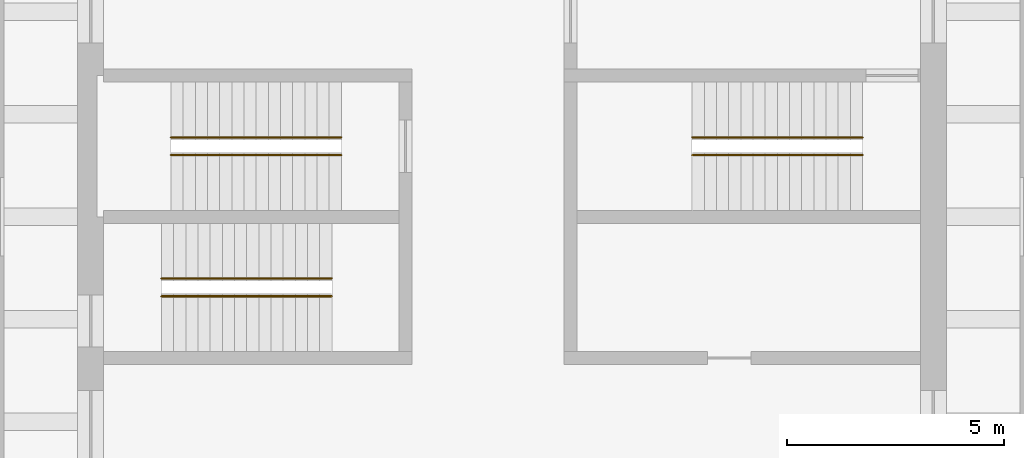
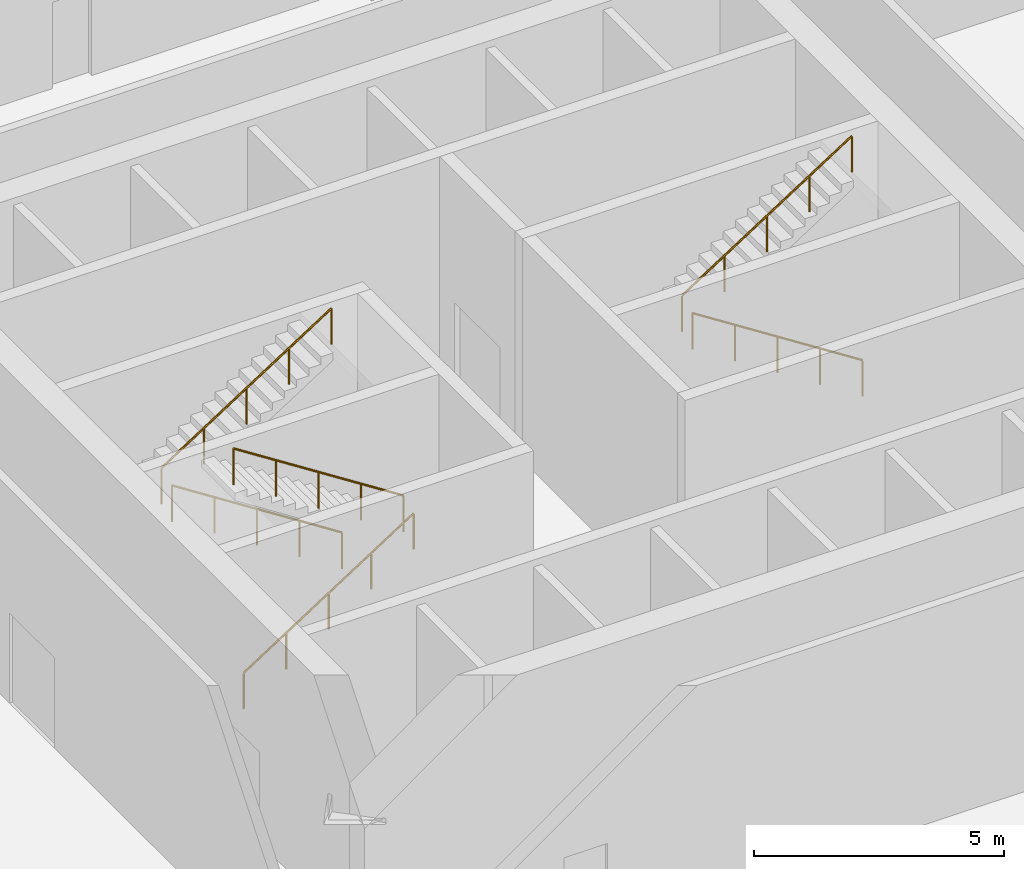
# One storey, part 8 of 9: 6 railings.
"""IFC4 building model written with IfcOpenShell, lengths in metres."""

from ifc_helpers import new_model, si_unit, direction, frame, origin, origin_2d, place, context, subcontext, project, spatial, circle, extrude, material, type_object, element, save


model = new_model("IFC4")

# Units and contexts
model_context = context("Model", 3, precision=1e-05, world=origin(), true_north=direction((0.0, 1.0)))
body_context = subcontext(model_context, "Body", "Model", "MODEL_VIEW")
ifc_project = project(units=[si_unit("LENGTHUNIT", "METRE"), si_unit("AREAUNIT", "SQUARE_METRE"), si_unit("VOLUMEUNIT", "CUBIC_METRE"), si_unit("PLANEANGLEUNIT", "RADIAN"), si_unit("MASSUNIT", "GRAM", prefix="KILO")], contexts=[model_context])

# Site, building, storey
site_placement = place(None, origin())
site = spatial("IfcSite", under=ifc_project, at=site_placement, CompositionType="ELEMENT")
building_placement = place(site_placement, origin())
building = spatial("IfcBuilding", under=site, at=building_placement, Name="Turquesa Mirador Hotel Tower", CompositionType="ELEMENT")
storey_placement = place(building_placement, frame((0.0, 0.0, 156.39990234375)))
storey = spatial("IfcBuildingStorey", under=building, at=storey_placement, Name="L42", CompositionType="ELEMENT", Elevation=156.39990234375)

# Railings
ifc_material = material(Name="Painted steel handrail", Category="steel")
railing_type = type_object("IfcRailingType", Name="HANDRAIL 900 STEEL", PredefinedType="HANDRAIL", material=ifc_material)
railing_1_placement = place(storey_placement, frame((51.070068359375, 46.419921875, 0.18017578125)))
element("IfcRailing", 1, at=railing_1_placement, inside=storey, type_object=railing_type, Name="Handrail ST1", PredefinedType="HANDRAIL", context=body_context, shape_type="SweptSolid", body=[
    extrude(circle(Radius=0.02392578125, at=origin_2d()), frame((0.0, 0.0, 0.8759765625), z_axis=(-0.841186985886, 0.0, 0.540744352514), x_axis=(0.0, -1.0, 0.0)), (0.0, 0.0, 1.0), 4.660400390625),
    extrude(circle(Radius=0.02099609375, at=origin_2d()), origin(), (0.0, 0.0, 1.0), 0.851806640625),
    extrude(circle(Radius=0.02099609375, at=origin_2d()), frame((-0.97998046875, 0.0, 0.6298828125)), (0.0, 0.0, 1.0), 0.851806640625),
    extrude(circle(Radius=0.02099609375, at=origin_2d()), frame((-1.9599609375, 0.0, 1.260009765625)), (0.0, 0.0, 1.0), 0.851806640625),
    extrude(circle(Radius=0.02099609375, at=origin_2d()), frame((-2.940185546875, 0.0, 1.89013671875)), (0.0, 0.0, 1.0), 0.851806640625),
    extrude(circle(Radius=0.02099609375, at=origin_2d()), frame((-3.920166015625, 0.0, 2.52001953125)), (0.0, 0.0, 1.0), 0.851806640625),
])
for number, where, name in (
    (2, (47.14990234375, 46.830078125, 2.880126953125), "Handrail ST1"),
    (3, (46.929931640625, 43.169921875, 0.18017578125), "Handrail ST2"),
):
    element("IfcRailing", number, at=place(storey_placement, frame(where)), inside=storey, type_object=railing_type, Name=name, PredefinedType="HANDRAIL", context=body_context, shape_type="SweptSolid", body=[
        extrude(circle(Radius=0.02392578125, at=origin_2d()), frame((0.0, 0.0, 0.8759765625), z_axis=(0.841186985886, 0.0, 0.540744352514), x_axis=(0.0, 1.0, 0.0)), (0.0, 0.0, 1.0), 4.660400390625),
        extrude(circle(Radius=0.02099609375, at=origin_2d()), origin(), (0.0, 0.0, 1.0), 0.851806640625),
        extrude(circle(Radius=0.02099609375, at=origin_2d()), frame((0.97998046875, 0.0, 0.6298828125)), (0.0, 0.0, 1.0), 0.851806640625),
        extrude(circle(Radius=0.02099609375, at=origin_2d()), frame((1.9599609375, 0.0, 1.260009765625)), (0.0, 0.0, 1.0), 0.851806640625),
        extrude(circle(Radius=0.02099609375, at=origin_2d()), frame((2.940185546875, 0.0, 1.89013671875)), (0.0, 0.0, 1.0), 0.851806640625),
        extrude(circle(Radius=0.02099609375, at=origin_2d()), frame((3.920166015625, 0.0, 2.52001953125)), (0.0, 0.0, 1.0), 0.851806640625),
    ])
for number, where, name in (
    (4, (50.85009765625, 43.580078125, 2.880126953125), "Handrail ST2"),
    (5, (63.070068359375, 46.419921875, 0.18017578125), "Handrail ST3"),
):
    element("IfcRailing", number, at=place(storey_placement, frame(where)), inside=storey, type_object=railing_type, Name=name, PredefinedType="HANDRAIL", context=body_context, shape_type="SweptSolid", body=[
        extrude(circle(Radius=0.02392578125, at=origin_2d()), frame((0.0, 0.0, 0.8759765625), z_axis=(-0.841186985886, 0.0, 0.540744352514), x_axis=(0.0, -1.0, 0.0)), (0.0, 0.0, 1.0), 4.660400390625),
        extrude(circle(Radius=0.02099609375, at=origin_2d()), origin(), (0.0, 0.0, 1.0), 0.851806640625),
        extrude(circle(Radius=0.02099609375, at=origin_2d()), frame((-0.97998046875, 0.0, 0.6298828125)), (0.0, 0.0, 1.0), 0.851806640625),
        extrude(circle(Radius=0.02099609375, at=origin_2d()), frame((-1.9599609375, 0.0, 1.260009765625)), (0.0, 0.0, 1.0), 0.851806640625),
        extrude(circle(Radius=0.02099609375, at=origin_2d()), frame((-2.940185546875, 0.0, 1.89013671875)), (0.0, 0.0, 1.0), 0.851806640625),
        extrude(circle(Radius=0.02099609375, at=origin_2d()), frame((-3.920166015625, 0.0, 2.52001953125)), (0.0, 0.0, 1.0), 0.851806640625),
    ])
railing_2_placement = place(storey_placement, frame((59.14990234375, 46.830078125, 2.880126953125)))
element("IfcRailing", 6, at=railing_2_placement, inside=storey, type_object=railing_type, Name="Handrail ST3", PredefinedType="HANDRAIL", context=body_context, shape_type="SweptSolid", body=[
    extrude(circle(Radius=0.02392578125, at=origin_2d()), frame((0.0, 0.0, 0.8759765625), z_axis=(0.841186985886, 0.0, 0.540744352514), x_axis=(0.0, 1.0, 0.0)), (0.0, 0.0, 1.0), 4.660400390625),
    extrude(circle(Radius=0.02099609375, at=origin_2d()), origin(), (0.0, 0.0, 1.0), 0.851806640625),
    extrude(circle(Radius=0.02099609375, at=origin_2d()), frame((0.97998046875, 0.0, 0.6298828125)), (0.0, 0.0, 1.0), 0.851806640625),
    extrude(circle(Radius=0.02099609375, at=origin_2d()), frame((1.9599609375, 0.0, 1.260009765625)), (0.0, 0.0, 1.0), 0.851806640625),
    extrude(circle(Radius=0.02099609375, at=origin_2d()), frame((2.940185546875, 0.0, 1.89013671875)), (0.0, 0.0, 1.0), 0.851806640625),
    extrude(circle(Radius=0.02099609375, at=origin_2d()), frame((3.920166015625, 0.0, 2.52001953125)), (0.0, 0.0, 1.0), 0.851806640625),
])

save(model, "model.ifc")
